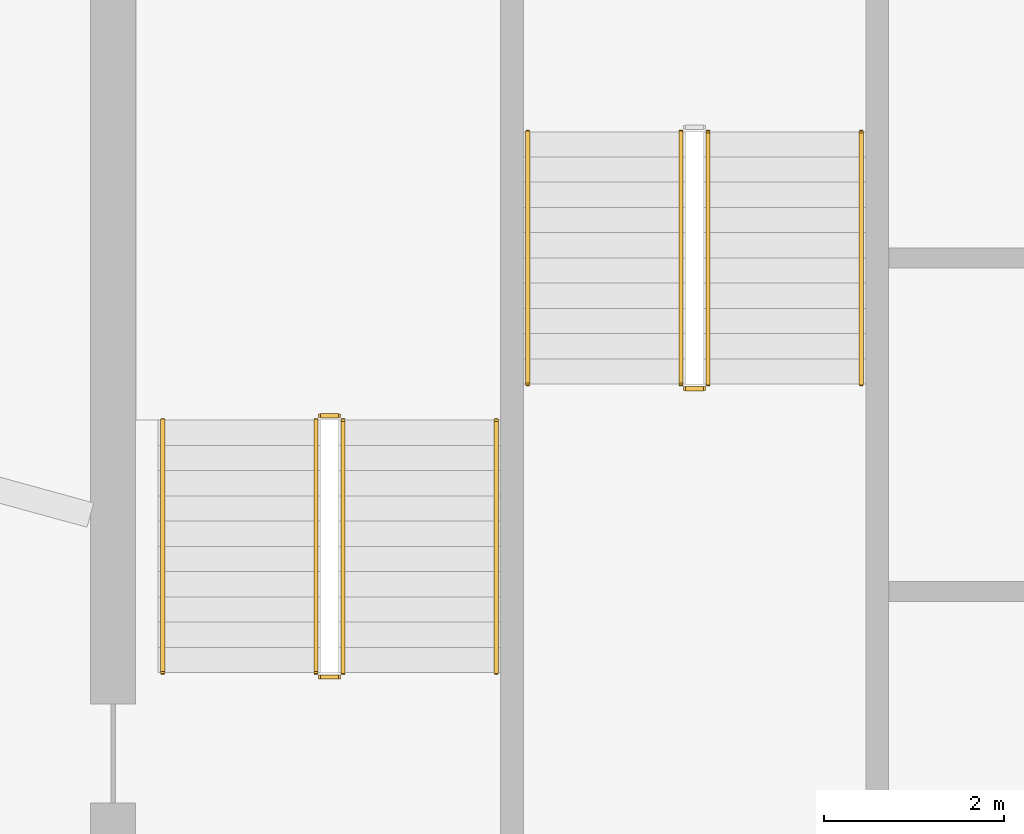
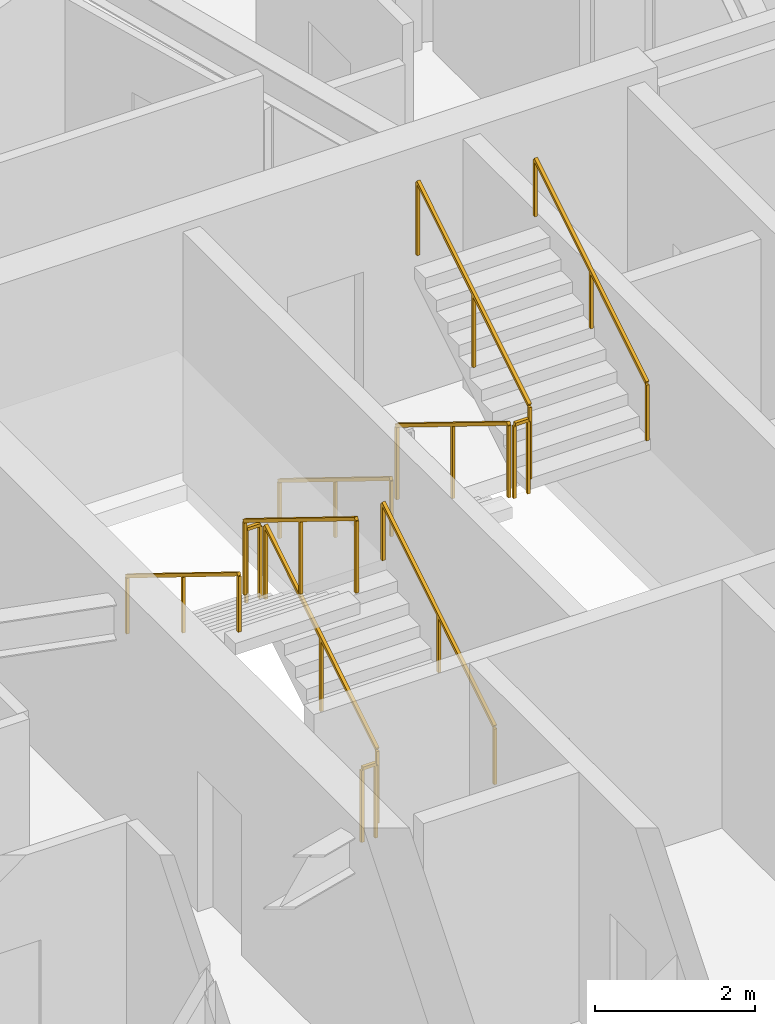
# One storey, part 21 of 23: 11 railings.
"""IFC4 building model written with IfcOpenShell, lengths in metres."""

from ifc_helpers import new_model, si_unit, direction, frame, origin, origin_2d, place, context, subcontext, project, spatial, rectangle, extrude, material, type_object, element, save


model = new_model("IFC4")

# Units and contexts
model_context = context("Model", 3, precision=1e-05, world=origin(), true_north=direction((0.0, 1.0)))
body_context = subcontext(model_context, "Body", "Model", "MODEL_VIEW")
ifc_project = project(units=[si_unit("LENGTHUNIT", "METRE"), si_unit("AREAUNIT", "SQUARE_METRE"), si_unit("VOLUMEUNIT", "CUBIC_METRE"), si_unit("PLANEANGLEUNIT", "RADIAN"), si_unit("MASSUNIT", "GRAM", prefix="KILO")], contexts=[model_context])

# Site, building, storey
site_placement = place(None, origin())
site = spatial("IfcSite", under=ifc_project, at=site_placement, CompositionType="ELEMENT")
building_placement = place(site_placement, origin())
building = spatial("IfcBuilding", under=site, at=building_placement, Name="Zuhravey Tower", CompositionType="ELEMENT")
storey_placement = place(building_placement, frame((0.0, 0.0, 350.0)))
storey = spatial("IfcBuildingStorey", under=building, at=storey_placement, Name="L89", CompositionType="ELEMENT", Elevation=350.0)

# Railings
ifc_material_1 = material(Name="Brushed stainless steel", Category="steel")
railing_type_1 = type_object("IfcRailingType", Name="Stair Wall Handrail 900", PredefinedType="HANDRAIL", material=ifc_material_1)
railing_1_placement = place(storey_placement, frame((29.75, 33.199951171875, 0.172607421875)))
element("IfcRailing", 1, at=railing_1_placement, inside=storey, type_object=railing_type_1, Name="L89 ST1 stair handrail 1", PredefinedType="HANDRAIL", context=body_context, shape_type="SweptSolid", body=[
    extrude(rectangle(XDim=0.048095703125, YDim=0.048095703125, at=origin_2d()), frame((0.0, 0.001708984375, 0.876953125), z_axis=(0.0, 0.851089632645, 0.525020415988), x_axis=(-1.0, 0.0, 0.0)), (0.0, 0.0, 1.0), 3.285888671875),
    extrude(rectangle(XDim=0.0419921875, YDim=0.0419921875, at=origin_2d()), origin(), (0.0, 0.0, 1.0), 0.849853515625),
    extrude(rectangle(XDim=0.0419921875, YDim=0.0419921875, at=origin_2d()), frame((0.0, 1.39990234375, 0.86376953125)), (0.0, 0.0, 1.0), 0.849853515625),
    extrude(rectangle(XDim=0.0419921875, YDim=0.0419921875, at=origin_2d()), frame((0.0, 2.800048828125, 1.727294921875)), (0.0, 0.0, 1.0), 0.849853515625),
])
for number, where, name in (
    (2, (26.050048828125, 36.0, 2.07275390625), "L89 ST1 stair handrail 2"),
    (3, (30.10009765625, 39.199951171875, 0.172607421875), "L89 ST3 stair handrail 1"),
):
    element("IfcRailing", number, at=place(storey_placement, frame(where)), inside=storey, type_object=railing_type_1, Name=name, PredefinedType="HANDRAIL", context=body_context, shape_type="SweptSolid", body=[
        extrude(rectangle(XDim=0.048095703125, YDim=0.048095703125, at=origin_2d()), frame((0.0, -0.001708984375, 0.876953125), z_axis=(0.0, -0.851089632645, 0.525020415988), x_axis=(1.0, 0.0, 0.0)), (0.0, 0.0, 1.0), 3.285888671875),
        extrude(rectangle(XDim=0.0419921875, YDim=0.0419921875, at=origin_2d()), origin(), (0.0, 0.0, 1.0), 0.849853515625),
        extrude(rectangle(XDim=0.0419921875, YDim=0.0419921875, at=origin_2d()), frame((0.0, -1.39990234375, 0.86376953125)), (0.0, 0.0, 1.0), 0.849853515625),
        extrude(rectangle(XDim=0.0419921875, YDim=0.0419921875, at=origin_2d()), frame((0.0, -2.800048828125, 1.727294921875)), (0.0, 0.0, 1.0), 0.849853515625),
    ])
railing_2_placement = place(storey_placement, frame((33.800048828125, 36.39990234375, 2.07275390625)))
element("IfcRailing", 4, at=railing_2_placement, inside=storey, type_object=railing_type_1, Name="L89 ST3 stair handrail 2", PredefinedType="HANDRAIL", context=body_context, shape_type="SweptSolid", body=[
    extrude(rectangle(XDim=0.048095703125, YDim=0.048095703125, at=origin_2d()), frame((0.0, 0.001708984375, 0.876953125), z_axis=(0.0, 0.851089632645, 0.525020415988), x_axis=(-1.0, 0.0, 0.0)), (0.0, 0.0, 1.0), 3.285888671875),
    extrude(rectangle(XDim=0.0419921875, YDim=0.0419921875, at=origin_2d()), origin(), (0.0, 0.0, 1.0), 0.849853515625),
    extrude(rectangle(XDim=0.0419921875, YDim=0.0419921875, at=origin_2d()), frame((0.0, 1.39990234375, 0.86376953125)), (0.0, 0.0, 1.0), 0.849853515625),
    extrude(rectangle(XDim=0.0419921875, YDim=0.0419921875, at=origin_2d()), frame((0.0, 2.800048828125, 1.727294921875)), (0.0, 0.0, 1.0), 0.849853515625),
])
ifc_material_2 = material(Name="Painted tubular steel", Category="steel")
railing_type_2 = type_object("IfcRailingType", Name="Stair Well Guardrail 1150", PredefinedType="GUARDRAIL", material=ifc_material_2)
railing_3_placement = place(storey_placement, frame((28.050048828125, 33.199951171875, 0.172607421875)))
element("IfcRailing", 5, at=railing_3_placement, inside=storey, type_object=railing_type_2, Name="L89 ST1 stair guard 1", PredefinedType="GUARDRAIL", context=body_context, shape_type="SweptSolid", body=[
    extrude(rectangle(XDim=0.048095703125, YDim=0.048095703125, at=origin_2d()), frame((0.0, 0.001708984375, 1.126953125), z_axis=(0.0, 0.851089632645, 0.525020415988), x_axis=(-1.0, 0.0, 0.0)), (0.0, 0.0, 1.0), 3.285888671875),
    extrude(rectangle(XDim=0.0419921875, YDim=0.0419921875, at=origin_2d()), origin(), (0.0, 0.0, 1.0), 1.099853515625),
    extrude(rectangle(XDim=0.0419921875, YDim=0.0419921875, at=origin_2d()), frame((0.0, 1.39990234375, 0.86376953125)), (0.0, 0.0, 1.0), 1.099853515625),
    extrude(rectangle(XDim=0.0419921875, YDim=0.0419921875, at=origin_2d()), frame((0.0, 2.800048828125, 1.727294921875)), (0.0, 0.0, 1.0), 1.099853515625),
])
railing_4_placement = place(storey_placement, frame((28.0, 36.050048828125, 1.89990234375)))
element("IfcRailing", 6, at=railing_4_placement, inside=storey, type_object=railing_type_2, Name="L89 ST1 stair guard 2", PredefinedType="GUARDRAIL", context=body_context, shape_type="SweptSolid", body=[
    extrude(rectangle(XDim=0.048095703125, YDim=0.048095703125, at=origin_2d()), frame((-0.001953125, 0.0, 1.1259765625), z_axis=(-1.0, 0.0, 0.0), x_axis=(0.0, -1.0, 0.0)), (0.0, 0.0, 1.0), 0.196044921875),
    extrude(rectangle(XDim=0.0419921875, YDim=0.0419921875, at=origin_2d()), origin(), (0.0, 0.0, 1.0), 1.099853515625),
    extrude(rectangle(XDim=0.0419921875, YDim=0.0419921875, at=origin_2d()), frame((-0.199951171875, 0.0, 0.0)), (0.0, 0.0, 1.0), 1.099853515625),
])
railing_5_placement = place(storey_placement, frame((27.75, 36.0, 2.07275390625)))
element("IfcRailing", 7, at=railing_5_placement, inside=storey, type_object=railing_type_2, Name="L89 ST1 stair guard 3", PredefinedType="GUARDRAIL", context=body_context, shape_type="SweptSolid", body=[
    extrude(rectangle(XDim=0.048095703125, YDim=0.048095703125, at=origin_2d()), frame((0.0, -0.001708984375, 1.126953125), z_axis=(0.0, -0.851089632645, 0.525020415988), x_axis=(1.0, 0.0, 0.0)), (0.0, 0.0, 1.0), 3.285888671875),
    extrude(rectangle(XDim=0.0419921875, YDim=0.0419921875, at=origin_2d()), origin(), (0.0, 0.0, 1.0), 1.099853515625),
    extrude(rectangle(XDim=0.0419921875, YDim=0.0419921875, at=origin_2d()), frame((0.0, -1.39990234375, 0.86376953125)), (0.0, 0.0, 1.0), 1.099853515625),
    extrude(rectangle(XDim=0.0419921875, YDim=0.0419921875, at=origin_2d()), frame((0.0, -2.800048828125, 1.727294921875)), (0.0, 0.0, 1.0), 1.099853515625),
])
railing_6_placement = place(storey_placement, frame((28.0, 33.14990234375, 0.0)))
element("IfcRailing", 8, at=railing_6_placement, inside=storey, type_object=railing_type_2, Name="L89 ST1 stair guard 4", PredefinedType="GUARDRAIL", context=body_context, shape_type="SweptSolid", body=[
    extrude(rectangle(XDim=0.048095703125, YDim=0.048095703125, at=origin_2d()), frame((-0.001953125, 0.0, 1.1259765625), z_axis=(-1.0, 0.0, 0.0), x_axis=(0.0, -1.0, 0.0)), (0.0, 0.0, 1.0), 0.196044921875),
    extrude(rectangle(XDim=0.0419921875, YDim=0.0419921875, at=origin_2d()), origin(), (0.0, 0.0, 1.0), 1.099853515625),
    extrude(rectangle(XDim=0.0419921875, YDim=0.0419921875, at=origin_2d()), frame((-0.199951171875, 0.0, 0.0)), (0.0, 0.0, 1.0), 1.099853515625),
])
railing_7_placement = place(storey_placement, frame((31.800048828125, 39.199951171875, 0.172607421875)))
element("IfcRailing", 9, at=railing_7_placement, inside=storey, type_object=railing_type_2, Name="L89 ST3 stair guard 1", PredefinedType="GUARDRAIL", context=body_context, shape_type="SweptSolid", body=[
    extrude(rectangle(XDim=0.048095703125, YDim=0.048095703125, at=origin_2d()), frame((0.0, -0.001708984375, 1.126953125), z_axis=(0.0, -0.851089632645, 0.525020415988), x_axis=(1.0, 0.0, 0.0)), (0.0, 0.0, 1.0), 3.285888671875),
    extrude(rectangle(XDim=0.0419921875, YDim=0.0419921875, at=origin_2d()), origin(), (0.0, 0.0, 1.0), 1.099853515625),
    extrude(rectangle(XDim=0.0419921875, YDim=0.0419921875, at=origin_2d()), frame((0.0, -1.39990234375, 0.86376953125)), (0.0, 0.0, 1.0), 1.099853515625),
    extrude(rectangle(XDim=0.0419921875, YDim=0.0419921875, at=origin_2d()), frame((0.0, -2.800048828125, 1.727294921875)), (0.0, 0.0, 1.0), 1.099853515625),
])
railing_8_placement = place(storey_placement, frame((31.85009765625, 36.35009765625, 1.89990234375)))
element("IfcRailing", 10, at=railing_8_placement, inside=storey, type_object=railing_type_2, Name="L89 ST3 stair guard 2", PredefinedType="GUARDRAIL", context=body_context, shape_type="SweptSolid", body=[
    extrude(rectangle(XDim=0.048095703125, YDim=0.048095703125, at=origin_2d()), frame((0.001953125, 0.0, 1.1259765625), z_axis=(1.0, 0.0, 0.0), x_axis=(0.0, 1.0, 0.0)), (0.0, 0.0, 1.0), 0.196044921875),
    extrude(rectangle(XDim=0.0419921875, YDim=0.0419921875, at=origin_2d()), origin(), (0.0, 0.0, 1.0), 1.099853515625),
    extrude(rectangle(XDim=0.0419921875, YDim=0.0419921875, at=origin_2d()), frame((0.199951171875, 0.0, 0.0)), (0.0, 0.0, 1.0), 1.099853515625),
])
railing_9_placement = place(storey_placement, frame((32.10009765625, 36.39990234375, 2.07275390625)))
element("IfcRailing", 11, at=railing_9_placement, inside=storey, type_object=railing_type_2, Name="L89 ST3 stair guard 3", PredefinedType="GUARDRAIL", context=body_context, shape_type="SweptSolid", body=[
    extrude(rectangle(XDim=0.048095703125, YDim=0.048095703125, at=origin_2d()), frame((0.0, 0.001708984375, 1.126953125), z_axis=(0.0, 0.851089632645, 0.525020415988), x_axis=(-1.0, 0.0, 0.0)), (0.0, 0.0, 1.0), 3.285888671875),
    extrude(rectangle(XDim=0.0419921875, YDim=0.0419921875, at=origin_2d()), origin(), (0.0, 0.0, 1.0), 1.099853515625),
    extrude(rectangle(XDim=0.0419921875, YDim=0.0419921875, at=origin_2d()), frame((0.0, 1.39990234375, 0.86376953125)), (0.0, 0.0, 1.0), 1.099853515625),
    extrude(rectangle(XDim=0.0419921875, YDim=0.0419921875, at=origin_2d()), frame((0.0, 2.800048828125, 1.727294921875)), (0.0, 0.0, 1.0), 1.099853515625),
])

save(model, "model.ifc")
